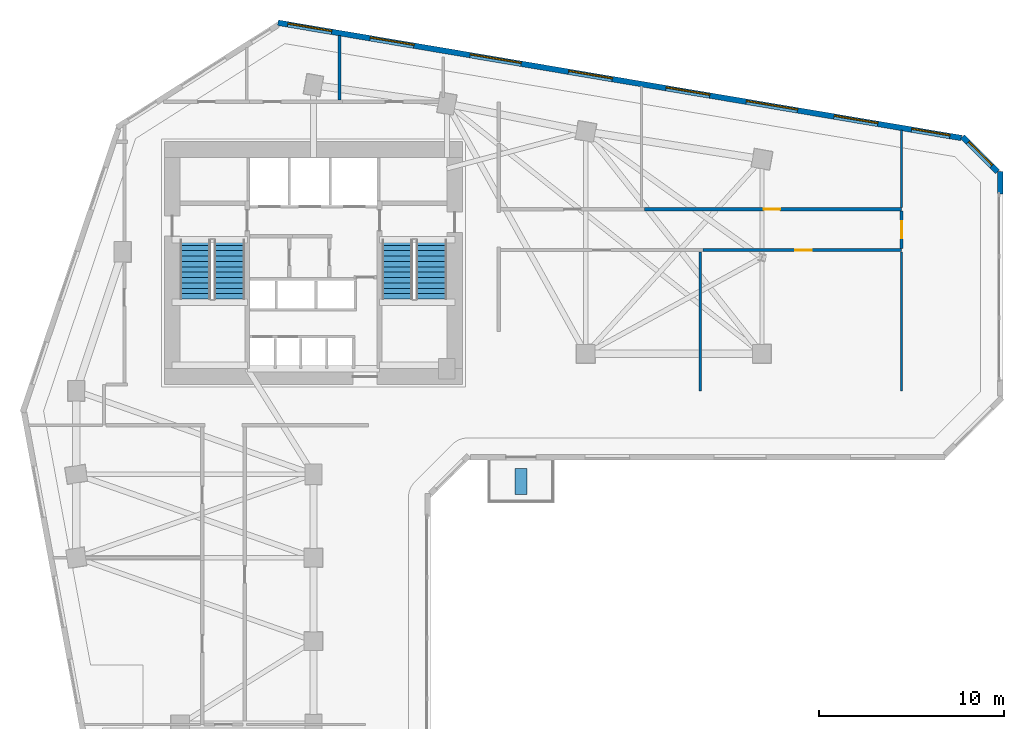
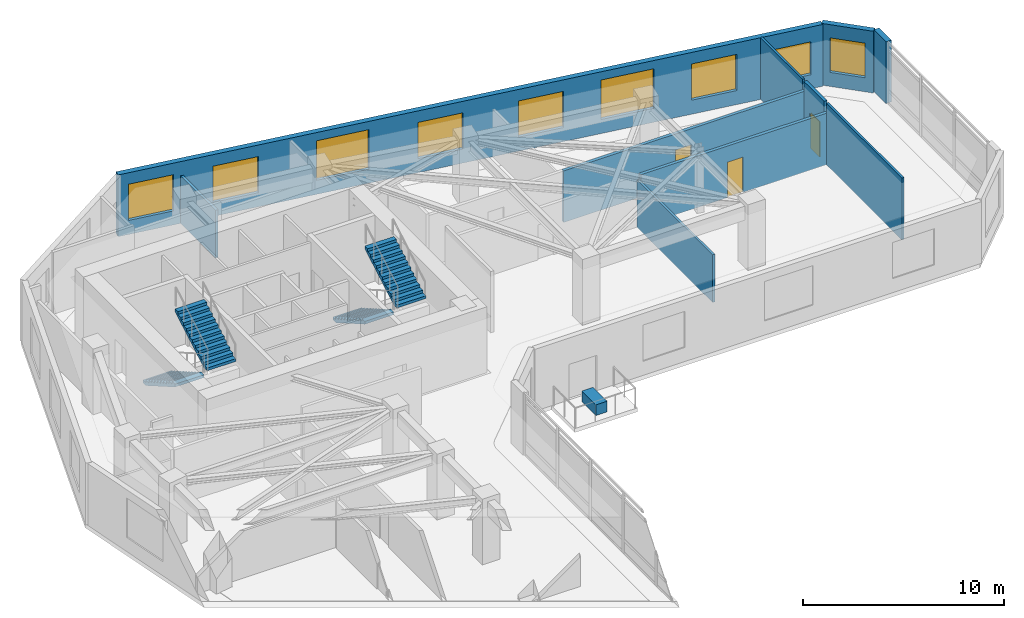
# One storey, part 9 of 11: 10 walls, 9 windows, 4 stair flights, 3 doors, 1 discrete accessory, 12 openings, 2 elements without a shape of their own.
"""IFC4 building model written with IfcOpenShell, lengths in metres."""

from ifc_helpers import new_model, si_unit, direction, frame, frame_2d, origin, origin_2d, place, context, subcontext, project, spatial, polyline, rectangle, outline, extrude, source, transform, mapped, material, layer, layer_set, type_object, element, fill, aggregate, save


model = new_model("IFC4")

# Units and contexts
model_context = context("Model", 3, precision=1e-05, world=origin(), true_north=direction((0.0, 1.0)))
body_context = subcontext(model_context, "Body", "Model", "MODEL_VIEW")
ifc_project = project(units=[si_unit("LENGTHUNIT", "METRE"), si_unit("AREAUNIT", "SQUARE_METRE"), si_unit("VOLUMEUNIT", "CUBIC_METRE"), si_unit("PLANEANGLEUNIT", "RADIAN"), si_unit("MASSUNIT", "GRAM", prefix="KILO")], contexts=[model_context])

# Site, building, storey
site_placement = place(None, origin())
site = spatial("IfcSite", under=ifc_project, at=site_placement, CompositionType="ELEMENT")
building_placement = place(site_placement, origin())
building = spatial("IfcBuilding", under=site, at=building_placement, Name="Calvemar Wedge Station Tower", CompositionType="ELEMENT")
storey_placement = place(building_placement, frame((0.0, 0.0, 47.0)))
storey = spatial("IfcBuildingStorey", under=building, at=storey_placement, Name="L11", CompositionType="ELEMENT", Elevation=47.0)

# Wall, opening, door
ifc_material_1 = material(Name="Double-stud fire-rated corridor partition")
ifc_layer_1 = layer(ifc_material_1, 0.179931640625)
ifc_layer_set_1 = layer_set([ifc_layer_1], Name="Double-stud fire-rated corridor partition")
wall_type_1 = type_object("IfcWallType", Name="W-CORR-180", PredefinedType="PARTITIONING", material=ifc_layer_set_1)
wall_1_placement = place(storey_placement, frame((55.534912109375, 40.60009765625, 0.0), z_axis=(0.0, 0.0, 1.0), x_axis=(-1.0, 0.0, 0.0)))
wall_1 = element("IfcWall", 1, at=wall_1_placement, inside=storey, type_object=wall_type_1, Name="Storey L11 Interior Partition WL-L11-022", PredefinedType="PARTITIONING", context=body_context, shape_type="SweptSolid", body=[
    extrude(rectangle(XDim=10.705810546875, YDim=0.179931640625, at=frame_2d((5.35302734375, 0.0))), origin(), (0.0, 0.0, 1.0), 3.125),
])
shared_shape_1 = source(origin(), body_context, "Body", "SweptSolid", [
    extrude(rectangle(XDim=0.89990234375, YDim=2.14990234375, at=frame_2d((0.449951171875, 1.074951171875))), frame((0.0, 0.10009765625, 0.0), z_axis=(0.0, -1.0, 0.0), x_axis=(1.0, 0.0, 0.0)), (0.0, 0.0, 1.0), 0.199951171875),
])
opening_1_placement = place(wall_1_placement, frame((4.843017578125, 0.0, 0.0)))
opening_1 = element("IfcOpeningElement", 2, at=opening_1_placement, cuts=wall_1, Name="Opening D-01", PredefinedType="OPENING", context=body_context, shape_type="MappedRepresentation", body=[
    mapped(shared_shape_1, transform((0.0, 0.0, 0.0), scale=1.0)),
])
ifc_material_2 = material(Name="Architectural hardwood acoustic swing door", Category="wood")
door_type = type_object("IfcDoorType", Name="DR-INT-900", OperationType="NOTDEFINED", PredefinedType="DOOR", material=ifc_material_2)
shared_shape_2 = source(origin(), body_context, "Body", "SweptSolid", [
    extrude(rectangle(XDim=0.89990234375, YDim=2.14990234375, at=frame_2d((0.449951171875, 1.074951171875))), frame((0.0, 0.02490234375, 0.0), z_axis=(0.0, -1.0, 0.0), x_axis=(1.0, 0.0, 0.0)), (0.0, 0.0, 1.0), 0.050048828125),
])
door_1_placement = place(opening_1_placement, origin())
door_1 = element("IfcDoor", 3, at=door_1_placement, inside=storey, type_object=door_type, Name="L11 Meeting Room Door", OperationType="SINGLE_SWING_LEFT", OverallHeight=2.14990234375, OverallWidth=0.89990234375, PredefinedType="DOOR", context=body_context, shape_type="MappedRepresentation", body=[
    mapped(shared_shape_2, transform((0.0, 0.0, 0.0), scale=1.0)),
])
fill(opening_1, door_1)

wall_2_placement = place(storey_placement, frame((41.662109375, 42.800048828125, 0.0), z_axis=(0.0, 0.0, 1.0), x_axis=(1.0, 0.0, 0.0)))
wall_2 = element("IfcWall", 4, at=wall_2_placement, inside=storey, type_object=wall_type_1, Name="Storey L11 Interior Partition WL-L11-024", PredefinedType="PARTITIONING", context=body_context, shape_type="SweptSolid", body=[
    extrude(rectangle(XDim=13.872802734375, YDim=0.179931640625, at=frame_2d((6.9365234375, 0.0))), origin(), (0.0, 0.0, 1.0), 3.125),
])
opening_2_placement = place(wall_2_placement, frame((6.42626953125, 0.0, 0.0)))
opening_2 = element("IfcOpeningElement", 5, at=opening_2_placement, cuts=wall_2, Name="Opening D-01", PredefinedType="OPENING", context=body_context, shape_type="MappedRepresentation", body=[
    mapped(shared_shape_1, transform((0.0, 0.0, 0.0), scale=1.0)),
])
door_2_placement = place(opening_2_placement, origin())
door_2 = element("IfcDoor", 6, at=door_2_placement, inside=storey, type_object=door_type, Name="L11 Co-Working Studio Door", OperationType="SINGLE_SWING_LEFT", OverallHeight=2.14990234375, OverallWidth=0.89990234375, PredefinedType="DOOR", context=body_context, shape_type="MappedRepresentation", body=[
    mapped(shared_shape_2, transform((0.0, 0.0, 0.0), scale=1.0)),
])
fill(opening_2, door_2)

wall_3_placement = place(storey_placement, frame((55.534912109375, 42.7060546875, 0.0), z_axis=(0.0, 0.0, 1.0), x_axis=(0.0, -1.0, 0.0)))
wall_3 = element("IfcWall", 7, at=wall_3_placement, inside=storey, type_object=wall_type_1, Name="Storey L11 Interior Partition WL-L11-025", PredefinedType="PARTITIONING", context=body_context, shape_type="SweptSolid", body=[
    extrude(rectangle(XDim=2.011962890625, YDim=0.179931640625, at=frame_2d((1.005859375, 0.0))), origin(), (0.0, 0.0, 1.0), 3.75),
])
opening_3_placement = place(wall_3_placement, frame((0.555908203125, 0.0, 0.0)))
opening_3 = element("IfcOpeningElement", 8, at=opening_3_placement, cuts=wall_3, Name="Opening D-01", PredefinedType="OPENING", context=body_context, shape_type="MappedRepresentation", body=[
    mapped(shared_shape_1, transform((0.0, 0.0, 0.0), scale=1.0)),
])
door_3_placement = place(opening_3_placement, origin())
door_3 = element("IfcDoor", 9, at=door_3_placement, inside=storey, type_object=door_type, Name="L11 Staff Lounge Door", OperationType="SINGLE_SWING_RIGHT", OverallHeight=2.14990234375, OverallWidth=0.89990234375, PredefinedType="DOOR", context=body_context, shape_type="MappedRepresentation", body=[
    mapped(shared_shape_2, transform((0.0, 0.0, 0.0), scale=1.0)),
])
fill(opening_3, door_3)

# Wall
ifc_material_3 = material(Name="Precast concrete C45", Category="concrete")
ifc_layer_2 = layer(ifc_material_3, 0.300048828125)
ifc_layer_set_2 = layer_set([ifc_layer_2], Name="Precast concrete C45")
wall_type_2 = type_object("IfcWallType", Name="W-EXT-GFRC-300", PredefinedType="SOLIDWALL", material=ifc_layer_set_2)
wall_4_placement = place(storey_placement, frame((60.85009765625, 43.622802734375, 0.0), z_axis=(0.0, 0.0, 1.0), x_axis=(0.0, 1.0, 0.0)))
element("IfcWall", 10, at=wall_4_placement, inside=storey, type_object=wall_type_2, Name="Storey L11 Bronze GFRC Corner Pier 8B", PredefinedType="SOLIDWALL", context=body_context, shape_type="SweptSolid", body=[
    extrude(rectangle(XDim=1.22509765625, YDim=0.300048828125, at=frame_2d((0.612548828125, 0.0))), origin(), (0.0, 0.0, 1.0), 3.75),
])

# Wall, opening, window
wall_5_placement = place(storey_placement, frame((60.7119140625, 44.8359375, 0.0), z_axis=(0.0, 0.0, 1.0), x_axis=(-0.707106781187, 0.707106781187, 0.0)))
wall_5 = element("IfcWall", 11, at=wall_5_placement, inside=storey, type_object=wall_type_2, Name="Storey L11 Bronze GFRC Exterior Wall 9", PredefinedType="SOLIDWALL", context=body_context, shape_type="SweptSolid", body=[
    extrude(rectangle(XDim=2.673095703125, YDim=0.300048828125, at=frame_2d((1.33642578125, 0.0))), origin(), (0.0, 0.0, 1.0), 3.75),
])
shared_shape_3 = source(origin(), body_context, "Body", "SweptSolid", [
    extrude(rectangle(XDim=1.800048828125, YDim=2.10009765625, at=frame_2d((0.89990234375, 1.050048828125))), frame((0.0, 0.16015625, 0.0), z_axis=(0.0, -1.0, 0.0), x_axis=(1.0, 0.0, 0.0)), (0.0, 0.0, 1.0), 0.320068359375),
])
opening_4_placement = place(wall_5_placement, frame((0.43701171875, 0.0, 0.85009765625)))
opening_4 = element("IfcOpeningElement", 12, at=opening_4_placement, cuts=wall_5, Name="Opening W2", PredefinedType="OPENING", context=body_context, shape_type="MappedRepresentation", body=[
    mapped(shared_shape_3, transform((0.0, 0.0, 0.0), scale=1.0)),
])
ifc_material_4 = material(Name="Low-E laminated insulated glass", Category="glass")
window_type_1 = type_object("IfcWindowType", Name="WIN-EXT-2", PartitioningType="SINGLE_PANEL", PredefinedType="WINDOW", material=ifc_material_4)
shared_shape_4 = source(origin(), body_context, "Body", "SweptSolid", [
    extrude(rectangle(XDim=1.800048828125, YDim=2.10009765625, at=frame_2d((0.89990234375, 1.050048828125))), frame((0.0, -0.014892578125, 0.0), z_axis=(0.0, -1.0, 0.0), x_axis=(1.0, 0.0, 0.0)), (0.0, 0.0, 1.0), 0.06005859375),
])
window_1_placement = place(opening_4_placement, origin())
window_1 = element("IfcWindow", 13, at=window_1_placement, inside=storey, type_object=window_type_1, Name="Storey L11 Recessed Window 9.1", OverallHeight=2.10009765625, OverallWidth=1.800048828125, PartitioningType="SINGLE_PANEL", PredefinedType="WINDOW", context=body_context, shape_type="MappedRepresentation", body=[
    mapped(shared_shape_4, transform((0.0, 0.0, 0.0), scale=1.0)),
])
fill(opening_4, window_1)

# Wall, openings, windows
wall_6_placement = place(storey_placement, frame((58.7607421875, 46.648193359375, 0.0), z_axis=(0.0, 0.0, 1.0), x_axis=(-0.98607502735, 0.166301053624, 0.0)))
wall_6 = element("IfcWall", 14, at=wall_6_placement, inside=storey, type_object=wall_type_2, Name="Storey L11 Bronze GFRC Exterior Wall 10", PredefinedType="SOLIDWALL", context=body_context, shape_type="SweptSolid", body=[
    extrude(rectangle(XDim=37.3974609375, YDim=0.300048828125, at=frame_2d((18.69873046875, 0.0))), origin(), (0.0, 0.0, 1.0), 3.75),
])
shared_shape_5 = source(origin(), body_context, "Body", "SweptSolid", [
    extrude(rectangle(XDim=2.10009765625, YDim=2.0, at=frame_2d((1.050048828125, 1.0))), frame((0.0, 0.16015625, 0.0), z_axis=(0.0, -1.0, 0.0), x_axis=(1.0, 0.0, 0.0)), (0.0, 0.0, 1.0), 0.320068359375),
])
opening_5_placement = place(wall_6_placement, frame((0.6259765625, 0.0, 0.85009765625)))
opening_5 = element("IfcOpeningElement", 15, at=opening_5_placement, cuts=wall_6, Name="Opening W4", PredefinedType="OPENING", context=body_context, shape_type="MappedRepresentation", body=[
    mapped(shared_shape_5, transform((0.0, 0.0, 0.0), scale=1.0)),
])
shared_shape_6 = source(origin(), body_context, "Body", "SweptSolid", [
    extrude(rectangle(XDim=2.39990234375, YDim=2.199951171875, at=frame_2d((1.199951171875, 1.10009765625))), frame((0.0, 0.16015625, 0.0), z_axis=(0.0, -1.0, 0.0), x_axis=(1.0, 0.0, 0.0)), (0.0, 0.0, 1.0), 0.320068359375),
])
opening_6_placement = place(wall_6_placement, frame((4.571044921875, 0.0, 0.85009765625)))
opening_6 = element("IfcOpeningElement", 16, at=opening_6_placement, cuts=wall_6, Name="Opening W1", PredefinedType="OPENING", context=body_context, shape_type="MappedRepresentation", body=[
    mapped(shared_shape_6, transform((0.0, 0.0, 0.0), scale=1.0)),
])
shared_shape_7 = source(origin(), body_context, "Body", "SweptSolid", [
    extrude(rectangle(XDim=2.800048828125, YDim=2.39990234375, at=frame_2d((1.39990234375, 1.199951171875))), frame((0.0, 0.16015625, 0.0), z_axis=(0.0, -1.0, 0.0), x_axis=(1.0, 0.0, 0.0)), (0.0, 0.0, 1.0), 0.320068359375),
])
opening_7_placement = place(wall_6_placement, frame((8.968994140625, 0.0, 0.85009765625)))
opening_7 = element("IfcOpeningElement", 17, at=opening_7_placement, cuts=wall_6, Name="Opening W6", PredefinedType="OPENING", context=body_context, shape_type="MappedRepresentation", body=[
    mapped(shared_shape_7, transform((0.0, 0.0, 0.0), scale=1.0)),
])
opening_8_placement = place(wall_6_placement, frame((13.76611328125, 0.0, 0.85009765625)))
opening_8 = element("IfcOpeningElement", 18, at=opening_8_placement, cuts=wall_6, Name="Opening W1", PredefinedType="OPENING", context=body_context, shape_type="MappedRepresentation", body=[
    mapped(shared_shape_6, transform((0.0, 0.0, 0.0), scale=1.0)),
])
opening_9_placement = place(wall_6_placement, frame((19.09912109375, 0.0, 0.85009765625)))
opening_9 = element("IfcOpeningElement", 19, at=opening_9_placement, cuts=wall_6, Name="Opening W1", PredefinedType="OPENING", context=body_context, shape_type="MappedRepresentation", body=[
    mapped(shared_shape_6, transform((0.0, 0.0, 0.0), scale=1.0)),
])
opening_10_placement = place(wall_6_placement, frame((24.0859375, 0.0, 0.85009765625)))
opening_10 = element("IfcOpeningElement", 20, at=opening_10_placement, cuts=wall_6, Name="Opening W6", PredefinedType="OPENING", context=body_context, shape_type="MappedRepresentation", body=[
    mapped(shared_shape_7, transform((0.0, 0.0, 0.0), scale=1.0)),
])
opening_11_placement = place(wall_6_placement, frame((29.95703125, 0.0, 0.85009765625)))
opening_11 = element("IfcOpeningElement", 21, at=opening_11_placement, cuts=wall_6, Name="Opening W1", PredefinedType="OPENING", context=body_context, shape_type="MappedRepresentation", body=[
    mapped(shared_shape_6, transform((0.0, 0.0, 0.0), scale=1.0)),
])
opening_12_placement = place(wall_6_placement, frame((34.4560546875, 0.0, 0.85009765625)))
opening_12 = element("IfcOpeningElement", 22, at=opening_12_placement, cuts=wall_6, Name="Opening W1", PredefinedType="OPENING", context=body_context, shape_type="MappedRepresentation", body=[
    mapped(shared_shape_6, transform((0.0, 0.0, 0.0), scale=1.0)),
])
window_type_2 = type_object("IfcWindowType", Name="WIN-EXT-4", PartitioningType="SINGLE_PANEL", PredefinedType="WINDOW", material=ifc_material_4)
shared_shape_8 = source(origin(), body_context, "Body", "SweptSolid", [
    extrude(rectangle(XDim=2.10009765625, YDim=2.0, at=frame_2d((1.050048828125, 1.0))), frame((0.0, -0.014892578125, 0.0), z_axis=(0.0, -1.0, 0.0), x_axis=(1.0, 0.0, 0.0)), (0.0, 0.0, 1.0), 0.06005859375),
])
window_2_placement = place(opening_5_placement, origin())
window_2 = element("IfcWindow", 23, at=window_2_placement, inside=storey, type_object=window_type_2, Name="Storey L11 Recessed Window 10.1", OverallHeight=2.0, OverallWidth=2.10009765625, PartitioningType="SINGLE_PANEL", PredefinedType="WINDOW", context=body_context, shape_type="MappedRepresentation", body=[
    mapped(shared_shape_8, transform((0.0, 0.0, 0.0), scale=1.0)),
])
fill(opening_5, window_2)
window_type_3 = type_object("IfcWindowType", Name="WIN-EXT-6", PartitioningType="SINGLE_PANEL", PredefinedType="WINDOW", material=ifc_material_4)
shared_shape_9 = source(origin(), body_context, "Body", "SweptSolid", [
    extrude(rectangle(XDim=2.800048828125, YDim=2.39990234375, at=frame_2d((1.39990234375, 1.199951171875))), frame((0.0, -0.014892578125, 0.0), z_axis=(0.0, -1.0, 0.0), x_axis=(1.0, 0.0, 0.0)), (0.0, 0.0, 1.0), 0.06005859375),
])
window_3_placement = place(opening_7_placement, origin())
window_3 = element("IfcWindow", 24, at=window_3_placement, inside=storey, type_object=window_type_3, Name="Storey L11 Recessed Window 10.3", OverallHeight=2.39990234375, OverallWidth=2.800048828125, PartitioningType="SINGLE_PANEL", PredefinedType="WINDOW", context=body_context, shape_type="MappedRepresentation", body=[
    mapped(shared_shape_9, transform((0.0, 0.0, 0.0), scale=1.0)),
])
fill(opening_7, window_3)
window_4_placement = place(opening_10_placement, origin())
window_4 = element("IfcWindow", 25, at=window_4_placement, inside=storey, type_object=window_type_3, Name="Storey L11 Recessed Window 10.6", OverallHeight=2.39990234375, OverallWidth=2.800048828125, PartitioningType="SINGLE_PANEL", PredefinedType="WINDOW", context=body_context, shape_type="MappedRepresentation", body=[
    mapped(shared_shape_9, transform((0.0, 0.0, 0.0), scale=1.0)),
])
fill(opening_10, window_4)
window_type_4 = type_object("IfcWindowType", Name="WIN-EXT-1", PartitioningType="SINGLE_PANEL", PredefinedType="WINDOW", material=ifc_material_4)
shared_shape_10 = source(origin(), body_context, "Body", "SweptSolid", [
    extrude(rectangle(XDim=2.39990234375, YDim=2.199951171875, at=frame_2d((1.199951171875, 1.10009765625))), frame((0.0, -0.014892578125, 0.0), z_axis=(0.0, -1.0, 0.0), x_axis=(1.0, 0.0, 0.0)), (0.0, 0.0, 1.0), 0.06005859375),
])
window_5_placement = place(opening_6_placement, origin())
window_5 = element("IfcWindow", 26, at=window_5_placement, inside=storey, type_object=window_type_4, Name="Storey L11 Recessed Window 10.2", OverallHeight=2.199951171875, OverallWidth=2.39990234375, PartitioningType="SINGLE_PANEL", PredefinedType="WINDOW", context=body_context, shape_type="MappedRepresentation", body=[
    mapped(shared_shape_10, transform((0.0, 0.0, 0.0), scale=1.0)),
])
fill(opening_6, window_5)
window_6_placement = place(opening_8_placement, origin())
window_6 = element("IfcWindow", 27, at=window_6_placement, inside=storey, type_object=window_type_4, Name="Storey L11 Recessed Window 10.4", OverallHeight=2.199951171875, OverallWidth=2.39990234375, PartitioningType="SINGLE_PANEL", PredefinedType="WINDOW", context=body_context, shape_type="MappedRepresentation", body=[
    mapped(shared_shape_10, transform((0.0, 0.0, 0.0), scale=1.0)),
])
fill(opening_8, window_6)
window_7_placement = place(opening_9_placement, origin())
window_7 = element("IfcWindow", 28, at=window_7_placement, inside=storey, type_object=window_type_4, Name="Storey L11 Recessed Window 10.5", OverallHeight=2.199951171875, OverallWidth=2.39990234375, PartitioningType="SINGLE_PANEL", PredefinedType="WINDOW", context=body_context, shape_type="MappedRepresentation", body=[
    mapped(shared_shape_10, transform((0.0, 0.0, 0.0), scale=1.0)),
])
fill(opening_9, window_7)
window_8_placement = place(opening_11_placement, origin())
window_8 = element("IfcWindow", 29, at=window_8_placement, inside=storey, type_object=window_type_4, Name="Storey L11 Recessed Window 10.7", OverallHeight=2.199951171875, OverallWidth=2.39990234375, PartitioningType="SINGLE_PANEL", PredefinedType="WINDOW", context=body_context, shape_type="MappedRepresentation", body=[
    mapped(shared_shape_10, transform((0.0, 0.0, 0.0), scale=1.0)),
])
fill(opening_11, window_8)
window_9_placement = place(opening_12_placement, origin())
window_9 = element("IfcWindow", 30, at=window_9_placement, inside=storey, type_object=window_type_4, Name="Storey L11 Recessed Window 10.8", OverallHeight=2.199951171875, OverallWidth=2.39990234375, PartitioningType="SINGLE_PANEL", PredefinedType="WINDOW", context=body_context, shape_type="MappedRepresentation", body=[
    mapped(shared_shape_10, transform((0.0, 0.0, 0.0), scale=1.0)),
])
fill(opening_12, window_9)

# Walls
ifc_material_5 = material(Name="Insulated acoustic gypsum stud partition")
ifc_layer_3 = layer(ifc_material_5, 0.125)
ifc_layer_set_3 = layer_set([ifc_layer_3], Name="Insulated acoustic gypsum stud partition")
wall_type_3 = type_object("IfcWallType", Name="W-PART-125", PredefinedType="PARTITIONING", material=ifc_layer_set_3)
wall_7_placement = place(storey_placement, frame((44.6669921875, 40.506103515625, 0.0), z_axis=(0.0, 0.0, 1.0), x_axis=(0.0, -1.0, 0.0)))
element("IfcWall", 31, at=wall_7_placement, inside=storey, type_object=wall_type_3, Name="Storey L11 Interior Partition WL-L11-026", PredefinedType="PARTITIONING", context=body_context, shape_type="SweptSolid", body=[
    extrude(rectangle(XDim=7.506103515625, YDim=0.125, at=frame_2d((3.7529296875, 0.0))), origin(), (0.0, 0.0, 1.0), 2.89208984375),
])
wall_8_placement = place(storey_placement, frame((55.534912109375, 40.506103515625, 0.0), z_axis=(0.0, 0.0, 1.0), x_axis=(0.0, -1.0, 0.0)))
element("IfcWall", 32, at=wall_8_placement, inside=storey, type_object=wall_type_3, Name="Storey L11 Interior Partition WL-L11-027", PredefinedType="PARTITIONING", context=body_context, shape_type="SweptSolid", body=[
    extrude(rectangle(XDim=7.506103515625, YDim=0.125, at=frame_2d((3.7529296875, 0.0))), origin(), (0.0, 0.0, 1.0), 3.75),
])
wall_9_placement = place(storey_placement, frame((55.534912109375, 47.07568359375, 0.0), z_axis=(0.0, 0.0, 1.0), x_axis=(0.0, -1.0, 0.0)))
element("IfcWall", 33, at=wall_9_placement, inside=storey, type_object=wall_type_3, Name="Storey L11 Interior Partition WL-L11-029", PredefinedType="PARTITIONING", context=body_context, shape_type="SweptSolid", body=[
    extrude(rectangle(XDim=4.181640625, YDim=0.125, at=frame_2d((2.0908203125, 0.0))), origin(), (0.0, 0.0, 1.0), 3.75),
])
ifc_material_6 = material(Name="Moisture-resistant acoustic bathroom partition")
ifc_layer_4 = layer(ifc_material_6, 0.14990234375)
ifc_layer_set_4 = layer_set([ifc_layer_4], Name="Moisture-resistant acoustic bathroom partition")
wall_type_4 = type_object("IfcWallType", Name="W-WET-150", PredefinedType="PARTITIONING", material=ifc_layer_set_4)
wall_10_placement = place(storey_placement, frame((25.199951171875, 52.191650390625, 0.0), z_axis=(0.0, 0.0, 1.0), x_axis=(0.0, -1.0, 0.0)))
element("IfcWall", 34, at=wall_10_placement, inside=storey, type_object=wall_type_4, Name="Storey L11 Interior Partition WL-L11-020", PredefinedType="PARTITIONING", context=body_context, shape_type="SweptSolid", body=[
    extrude(rectangle(XDim=3.49755859375, YDim=0.14990234375, at=frame_2d((1.748779296875, 0.0))), origin(), (0.0, 0.0, 1.0), 2.89208984375),
])

# Stair, stair flights
ifc_material_7 = material(Name="Concrete C45", Category="concrete")
stair_type = type_object("IfcStairType", Name="ST-TYPE-4000", PredefinedType="HALF_TURN_STAIR", material=ifc_material_7)
stair_1_placement = place(storey_placement, origin())
stair_1 = element("IfcStair", 35, at=stair_1_placement, inside=storey, type_object=stair_type, Name="L11 Pressurized Core Exit Stair ST-C1", PredefinedType="HALF_TURN_STAIR")
stair_flight_type = type_object("IfcStairFlightType", Name="STF-TYPE-4000", PredefinedType="STRAIGHT", material=ifc_material_7)
stair_flight_1_placement = place(storey_placement, frame((17.429931640625, 41.14990234375, 0.0), z_axis=(0.0, 0.0, 1.0), x_axis=(0.0, -1.0, 0.0)))
stair_flight_1 = element("IfcStairFlight", 36, at=stair_flight_1_placement, type_object=stair_flight_type, Name="ST-C1 flight 1", NumberOfRisers=12, NumberOfTreads=11, PredefinedType="STRAIGHT", RiserHeight=0.166666667, TreadLength=0.29, context=body_context, shape_type="SweptSolid", body=[
    extrude(outline(polyline([(0.0, 0.0), (0.0, 0.166748046875), (0.2900390625, 0.166748046875), (0.2900390625, 0.333251953125), (0.580078125, 0.333251953125), (0.580078125, 0.5), (0.8701171875, 0.5), (0.8701171875, 0.666748046875), (1.159912109375, 0.666748046875), (1.159912109375, 0.833251953125), (1.449951171875, 0.833251953125), (1.449951171875, 1.0), (1.739990234375, 1.0), (1.739990234375, 1.166748046875), (2.030029296875, 1.166748046875), (2.030029296875, 1.333251953125), (2.320068359375, 1.333251953125), (2.320068359375, 1.5), (2.610107421875, 1.5), (2.610107421875, 1.666748046875), (2.89990234375, 1.666748046875), (2.89990234375, 1.833251953125), (3.18994140625, 1.833251953125), (3.18994140625, 2.0), (3.18994140625, 1.660400390625), (0.30078125, 0.0), (0.0, 0.0)])), frame((0.0, 0.830078125, 0.0), z_axis=(0.0, -1.0, 0.0), x_axis=(1.0, 0.0, 0.0)), (0.0, 0.0, 1.0), 1.659912109375),
])
stair_flight_2_placement = place(storey_placement, frame((19.27001953125, 37.9599609375, 2.0), z_axis=(0.0, 0.0, 1.0), x_axis=(0.0, 1.0, 0.0)))
stair_flight_2 = element("IfcStairFlight", 37, at=stair_flight_2_placement, type_object=stair_flight_type, Name="ST-C1 flight 2", NumberOfRisers=12, NumberOfTreads=11, PredefinedType="STRAIGHT", RiserHeight=0.166666667, TreadLength=0.29, context=body_context, shape_type="SweptSolid", body=[
    extrude(outline(polyline([(0.0, 0.0), (0.0, 0.166748046875), (0.2900390625, 0.166748046875), (0.2900390625, 0.333251953125), (0.580078125, 0.333251953125), (0.580078125, 0.5), (0.8701171875, 0.5), (0.8701171875, 0.666748046875), (1.159912109375, 0.666748046875), (1.159912109375, 0.833251953125), (1.449951171875, 0.833251953125), (1.449951171875, 1.0), (1.739990234375, 1.0), (1.739990234375, 1.166748046875), (2.030029296875, 1.166748046875), (2.030029296875, 1.333251953125), (2.320068359375, 1.333251953125), (2.320068359375, 1.5), (2.610107421875, 1.5), (2.610107421875, 1.666748046875), (2.89990234375, 1.666748046875), (2.89990234375, 1.833251953125), (3.18994140625, 1.833251953125), (3.18994140625, 2.0), (3.18994140625, 1.660400390625), (0.30078125, 0.0), (0.0, 0.0)])), frame((0.0, 0.830078125, 0.0), z_axis=(0.0, -1.0, 0.0), x_axis=(1.0, 0.0, 0.0)), (0.0, 0.0, 1.0), 1.659912109375),
])
aggregate(stair_1, [stair_flight_1, stair_flight_2])

stair_2_placement = place(storey_placement, origin())
stair_2 = element("IfcStair", 38, at=stair_2_placement, inside=storey, type_object=stair_type, Name="L11 Pressurized Core Exit Stair ST-C2", PredefinedType="HALF_TURN_STAIR")
stair_flight_3_placement = place(storey_placement, frame((28.330078125, 41.14990234375, 0.0), z_axis=(0.0, 0.0, 1.0), x_axis=(0.0, -1.0, 0.0)))
stair_flight_3 = element("IfcStairFlight", 39, at=stair_flight_3_placement, type_object=stair_flight_type, Name="ST-C2 flight 1", NumberOfRisers=12, NumberOfTreads=11, PredefinedType="STRAIGHT", RiserHeight=0.166666667, TreadLength=0.29, context=body_context, shape_type="SweptSolid", body=[
    extrude(outline(polyline([(0.0, 0.0), (0.0, 0.166748046875), (0.2900390625, 0.166748046875), (0.2900390625, 0.333251953125), (0.580078125, 0.333251953125), (0.580078125, 0.5), (0.8701171875, 0.5), (0.8701171875, 0.666748046875), (1.159912109375, 0.666748046875), (1.159912109375, 0.833251953125), (1.449951171875, 0.833251953125), (1.449951171875, 1.0), (1.739990234375, 1.0), (1.739990234375, 1.166748046875), (2.030029296875, 1.166748046875), (2.030029296875, 1.333251953125), (2.320068359375, 1.333251953125), (2.320068359375, 1.5), (2.610107421875, 1.5), (2.610107421875, 1.666748046875), (2.89990234375, 1.666748046875), (2.89990234375, 1.833251953125), (3.18994140625, 1.833251953125), (3.18994140625, 2.0), (3.18994140625, 1.660400390625), (0.30078125, 0.0), (0.0, 0.0)])), frame((0.0, 0.830078125, 0.0), z_axis=(0.0, -1.0, 0.0), x_axis=(1.0, 0.0, 0.0)), (0.0, 0.0, 1.0), 1.659912109375),
])
stair_flight_4_placement = place(storey_placement, frame((30.169921875, 37.9599609375, 2.0), z_axis=(0.0, 0.0, 1.0), x_axis=(0.0, 1.0, 0.0)))
stair_flight_4 = element("IfcStairFlight", 40, at=stair_flight_4_placement, type_object=stair_flight_type, Name="ST-C2 flight 2", NumberOfRisers=12, NumberOfTreads=11, PredefinedType="STRAIGHT", RiserHeight=0.166666667, TreadLength=0.29, context=body_context, shape_type="SweptSolid", body=[
    extrude(outline(polyline([(0.0, 0.0), (0.0, 0.166748046875), (0.2900390625, 0.166748046875), (0.2900390625, 0.333251953125), (0.580078125, 0.333251953125), (0.580078125, 0.5), (0.8701171875, 0.5), (0.8701171875, 0.666748046875), (1.159912109375, 0.666748046875), (1.159912109375, 0.833251953125), (1.449951171875, 0.833251953125), (1.449951171875, 1.0), (1.739990234375, 1.0), (1.739990234375, 1.166748046875), (2.030029296875, 1.166748046875), (2.030029296875, 1.333251953125), (2.320068359375, 1.333251953125), (2.320068359375, 1.5), (2.610107421875, 1.5), (2.610107421875, 1.666748046875), (2.89990234375, 1.666748046875), (2.89990234375, 1.833251953125), (3.18994140625, 1.833251953125), (3.18994140625, 2.0), (3.18994140625, 1.660400390625), (0.30078125, 0.0), (0.0, 0.0)])), frame((0.0, 0.830078125, 0.0), z_axis=(0.0, -1.0, 0.0), x_axis=(1.0, 0.0, 0.0)), (0.0, 0.0, 1.0), 1.659912109375),
])
aggregate(stair_2, [stair_flight_3, stair_flight_4])

# Discrete accessory
discrete_accessory_type = type_object("IfcDiscreteAccessoryType", Name="ACC-PLANTER", PredefinedType="USERDEFINED", material=ifc_material_3)
shared_shape_11 = source(origin(), body_context, "Body", "SweptSolid", [
    extrude(rectangle(XDim=0.64990234375, YDim=1.39990234375, at=origin_2d()), origin(), (0.0, 0.0, 1.0), 0.64990234375),
])
discrete_accessory_placement = place(storey_placement, frame((35.0, 28.110107421875, 0.0), z_axis=(0.0, 0.0, 1.0), x_axis=(1.0, 0.0, 0.0)))
element("IfcDiscreteAccessory", 41, at=discrete_accessory_placement, inside=storey, type_object=discrete_accessory_type, Name="Storey L11 Planted Terrace GFRC Planter", ObjectType="PLANTER", PredefinedType="USERDEFINED", context=body_context, shape_type="MappedRepresentation", body=[
    mapped(shared_shape_11, transform((0.0, 0.0, 0.0), scale=1.0)),
])

save(model, "model.ifc")
